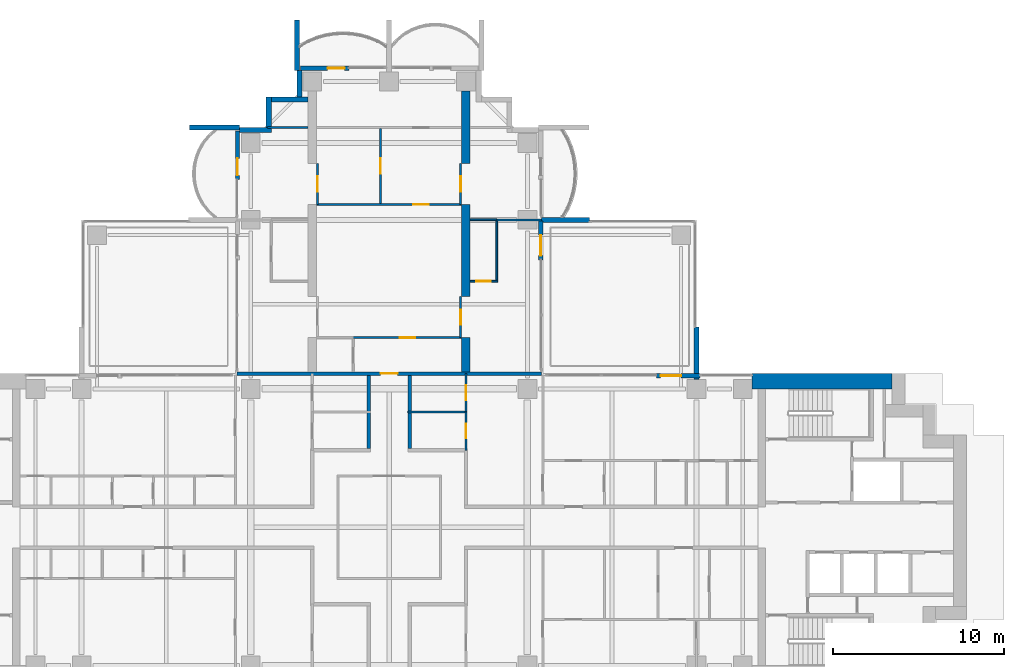
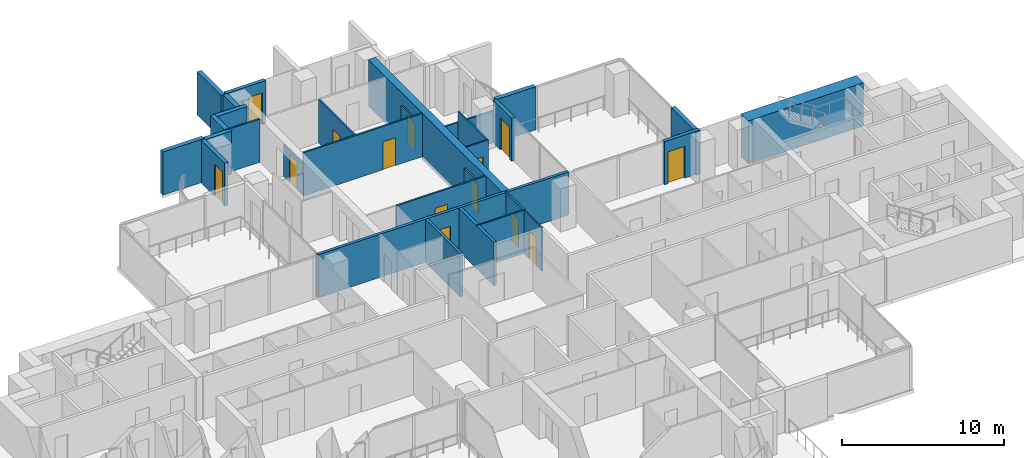
# One storey, part 15 of 20: 31 walls, 14 doors, 14 openings.
"""IFC4 building model written with IfcOpenShell, lengths in metres."""

from ifc_helpers import new_model, si_unit, direction, frame, frame_2d, origin, place, context, subcontext, project, spatial, polyline, rectangle, outline, extrude, material, layer, layer_set, material_profile, profile_set, type_object, element, fill, save


model = new_model("IFC4")

# Units and contexts
model_context = context("Model", 3, precision=1e-05, world=origin(), true_north=direction((0.0, 1.0)))
body_context = subcontext(model_context, "Body", "Model", "MODEL_VIEW")
ifc_project = project(units=[si_unit("LENGTHUNIT", "METRE"), si_unit("AREAUNIT", "SQUARE_METRE"), si_unit("VOLUMEUNIT", "CUBIC_METRE"), si_unit("PLANEANGLEUNIT", "RADIAN"), si_unit("MASSUNIT", "GRAM", prefix="KILO")], contexts=[model_context])

# Site, building, storey
site_placement = place(None, origin())
site = spatial("IfcSite", under=ifc_project, at=site_placement, CompositionType="ELEMENT")
building_placement = place(site_placement, origin())
building = spatial("IfcBuilding", under=site, at=building_placement, Name="Perihelion Cross Residences", CompositionType="ELEMENT")
storey_placement = place(building_placement, frame((0.0, 0.0, 102.39990234375)))
storey = spatial("IfcBuildingStorey", under=building, at=storey_placement, Name="L23", CompositionType="ELEMENT", Elevation=102.39990234375)

# Walls
ifc_material_1 = material(Name="Plasterboard partition")
ifc_layer_1 = layer(ifc_material_1, 0.199951171875)
ifc_layer_set_1 = layer_set([ifc_layer_1], Name="Apartment separation wall 200")
wall_type_1 = type_object("IfcWallType", Name="Apartment separation wall 200", PredefinedType="PARTITIONING", material=ifc_layer_set_1)
for number, where, z_axis, x_axis, name in (
    (1, (1.199951171875, 8.89990234375, 0.0), (0.0, 0.0, 1.0), (0.0, -1.0, 0.0), "Partition L23 W007"),
    (2, (-1.199951171875, 4.60009765625, 0.0), (0.0, 0.0, 1.0), (0.0, 1.0, 0.0), "Partition L23 W016"),
):
    element("IfcWall", number, at=place(storey_placement, frame(where, z_axis=z_axis, x_axis=x_axis)), inside=storey, type_object=wall_type_1, Name=name, PredefinedType="PARTITIONING", context=body_context, shape_type="SweptSolid", body=[
        extrude(rectangle(XDim=4.2998046875, YDim=0.199951171875, at=frame_2d((2.14990234375, 0.0))), origin(), (0.0, 0.0, 1.0), 3.25),
    ])

# Wall, opening, door
wall_1_placement = place(storey_placement, frame((-8.919921875, 9.0, 0.0), z_axis=(0.0, 0.0, 1.0), x_axis=(1.0, 0.0, 0.0)))
wall_1 = element("IfcWall", 3, at=wall_1_placement, inside=storey, type_object=wall_type_1, Name="Partition L23 W021", PredefinedType="PARTITIONING", context=body_context, shape_type="SweptSolid", body=[
    extrude(rectangle(XDim=17.83984375, YDim=0.199951171875, at=frame_2d((8.919921875, 0.0))), origin(), (0.0, 0.0, 1.0), 3.25),
])
opening_1_placement = place(wall_1_placement, frame((8.419921875, 0.0, 0.0)))
opening_1 = element("IfcOpeningElement", 4, at=opening_1_placement, cuts=wall_1, Name="Opening L23.A32", PredefinedType="OPENING", context=body_context, shape_type="SweptSolid", body=[
    extrude(rectangle(XDim=1.0, YDim=2.10009765625, at=frame_2d((0.5, 1.050048828125))), frame((0.0, 0.10986328125, 0.0), z_axis=(0.0, -1.0, 0.0), x_axis=(1.0, 0.0, 0.0)), (0.0, 0.0, 1.0), 0.219970703125),
])
ifc_material_2 = material(Name="Timber door leaf", Category="wood")
door_type_1 = type_object("IfcDoorType", Name="Flat entrance door 1000 x 2100", OperationType="SINGLE_SWING_LEFT", PredefinedType="DOOR", material=ifc_material_2)
door_1_placement = place(opening_1_placement, origin())
door_1 = element("IfcDoor", 5, at=door_1_placement, inside=storey, type_object=door_type_1, Name="Door L23.A32", OperationType="SINGLE_SWING_RIGHT", OverallHeight=2.10009765625, OverallWidth=1.0, PredefinedType="DOOR", context=body_context, shape_type="SweptSolid", body=[
    extrude(rectangle(XDim=1.0, YDim=2.10009765625, at=frame_2d((0.5, 1.050048828125))), frame((0.0, 0.02490234375, 0.0), z_axis=(0.0, -1.0, 0.0), x_axis=(1.0, 0.0, 0.0)), (0.0, 0.0, 1.0), 0.050048828125),
])
fill(opening_1, door_1)

ifc_material_3 = material(Name="Concrete C30/37, bronze-clad", Category="concrete")
ifc_layer_2 = layer(ifc_material_3, 0.25)
ifc_layer_set_2 = layer_set([ifc_layer_2], Name="Bronze-clad pier wall 250")
wall_type_2 = type_object("IfcWallType", Name="Bronze-clad pier wall 250", PredefinedType="SOLIDWALL", material=ifc_layer_set_2)
wall_2_placement = place(storey_placement, frame((18.199951171875, 8.875, 0.0), z_axis=(0.0, 0.0, 1.0), x_axis=(-1.0, 0.0, 0.0)))
wall_2 = element("IfcWall", 6, at=wall_2_placement, inside=storey, type_object=wall_type_2, Name="Wall FW1 L23 east side north bay 2 pier", PredefinedType="SOLIDWALL", context=body_context, shape_type="SweptSolid", body=[
    extrude(rectangle(XDim=2.550048828125, YDim=0.25, at=frame_2d((1.27490234375, 0.0))), origin(), (0.0, 0.0, 1.0), 3.25),
])
opening_2_placement = place(wall_2_placement, frame((1.10009765625, 0.0, 0.0)))
opening_2 = element("IfcOpeningElement", 7, at=opening_2_placement, cuts=wall_2, Name="Opening L23.E01", PredefinedType="OPENING", context=body_context, shape_type="SweptSolid", body=[
    extrude(rectangle(XDim=1.199951171875, YDim=2.39990234375, at=frame_2d((0.60009765625, 1.199951171875))), frame((0.0, 0.135009765625, 0.0), z_axis=(0.0, -1.0, 0.0), x_axis=(1.0, 0.0, 0.0)), (0.0, 0.0, 1.0), 0.27001953125),
])
ifc_material_4 = material(Name="Bronze anodised aluminium, glazed", Category="aluminium")
door_type_2 = type_object("IfcDoorType", Name="Balcony door 1200 x 2400", OperationType="NOTDEFINED", PredefinedType="DOOR", material=ifc_material_4)
door_2_placement = place(opening_2_placement, origin())
door_2 = element("IfcDoor", 8, at=door_2_placement, inside=storey, type_object=door_type_2, Name="Door L23.E01 east side north bay 2", OperationType="SINGLE_SWING_RIGHT", OverallHeight=2.39990234375, OverallWidth=1.199951171875, PredefinedType="DOOR", context=body_context, shape_type="SweptSolid", body=[
    extrude(rectangle(XDim=1.199951171875, YDim=2.39990234375, at=frame_2d((0.60009765625, 1.199951171875))), frame((0.0, 0.02490234375, 0.0), z_axis=(0.0, -1.0, 0.0), x_axis=(1.0, 0.0, 0.0)), (0.0, 0.0, 1.0), 0.050048828125),
])
fill(opening_2, door_2)

wall_3_placement = place(storey_placement, frame((8.875, 15.64990234375, 0.0), z_axis=(0.0, 0.0, 1.0), x_axis=(0.0, 1.0, 0.0)))
wall_3 = element("IfcWall", 9, at=wall_3_placement, inside=storey, type_object=wall_type_2, Name="Wall FW1 L23 north side east bay 1 pier", PredefinedType="SOLIDWALL", context=body_context, shape_type="SweptSolid", body=[
    extrude(rectangle(XDim=2.2900390625, YDim=0.25, at=frame_2d((1.14501953125, 0.0))), origin(), (0.0, 0.0, 1.0), 3.25),
])
opening_3_placement = place(wall_3_placement, frame((0.25, 0.0, 0.0)))
opening_3 = element("IfcOpeningElement", 10, at=opening_3_placement, cuts=wall_3, Name="Opening L23.E02", PredefinedType="OPENING", context=body_context, shape_type="SweptSolid", body=[
    extrude(rectangle(XDim=1.199951171875, YDim=2.39990234375, at=frame_2d((0.60009765625, 1.199951171875))), frame((0.0, 0.135009765625, 0.0), z_axis=(0.0, -1.0, 0.0), x_axis=(1.0, 0.0, 0.0)), (0.0, 0.0, 1.0), 0.27001953125),
])
door_3_placement = place(opening_3_placement, origin())
door_3 = element("IfcDoor", 11, at=door_3_placement, inside=storey, type_object=door_type_2, Name="Door L23.E02 north side east bay 1", OperationType="SINGLE_SWING_LEFT", OverallHeight=2.39990234375, OverallWidth=1.199951171875, PredefinedType="DOOR", context=body_context, shape_type="SweptSolid", body=[
    extrude(rectangle(XDim=1.199951171875, YDim=2.39990234375, at=frame_2d((0.60009765625, 1.199951171875))), frame((0.0, 0.02490234375, 0.0), z_axis=(0.0, -1.0, 0.0), x_axis=(1.0, 0.0, 0.0)), (0.0, 0.0, 1.0), 0.050048828125),
])
fill(opening_3, door_3)

wall_4_placement = place(storey_placement, frame((-2.35009765625, 26.875, 0.0), z_axis=(0.0, 0.0, 1.0), x_axis=(-1.0, 0.0, 0.0)))
wall_4 = element("IfcWall", 12, at=wall_4_placement, inside=storey, type_object=wall_type_2, Name="Wall FW1 L23 north tip north bay 2 pier", PredefinedType="SOLIDWALL", context=body_context, shape_type="SweptSolid", body=[
    extrude(rectangle(XDim=2.849853515625, YDim=0.25, at=frame_2d((1.4248046875, 0.0))), origin(), (0.0, 0.0, 1.0), 3.25),
])
opening_4_placement = place(wall_4_placement, frame((0.25, 0.0, 0.0)))
opening_4 = element("IfcOpeningElement", 13, at=opening_4_placement, cuts=wall_4, Name="Opening L23.E05", PredefinedType="OPENING", context=body_context, shape_type="SweptSolid", body=[
    extrude(rectangle(XDim=1.0, YDim=2.39990234375, at=frame_2d((0.5, 1.199951171875))), frame((0.0, 0.135009765625, 0.0), z_axis=(0.0, -1.0, 0.0), x_axis=(1.0, 0.0, 0.0)), (0.0, 0.0, 1.0), 0.27001953125),
])
ifc_material_5 = material(Name="Bronze anodised aluminium, glazed", Category="aluminium")
door_type_3 = type_object("IfcDoorType", Name="Balcony door 1000 x 2400", OperationType="NOTDEFINED", PredefinedType="DOOR", material=ifc_material_5)
door_4_placement = place(opening_4_placement, origin())
door_4 = element("IfcDoor", 14, at=door_4_placement, inside=storey, type_object=door_type_3, Name="Door L23.E05 north tip north bay 2", OperationType="SINGLE_SWING_RIGHT", OverallHeight=2.39990234375, OverallWidth=1.0, PredefinedType="DOOR", context=body_context, shape_type="SweptSolid", body=[
    extrude(rectangle(XDim=1.0, YDim=2.39990234375, at=frame_2d((0.5, 1.199951171875))), frame((0.0, 0.02490234375, 0.0), z_axis=(0.0, -1.0, 0.0), x_axis=(1.0, 0.0, 0.0)), (0.0, 0.0, 1.0), 0.050048828125),
])
fill(opening_4, door_4)

wall_5_placement = place(storey_placement, frame((-8.875, 23.199951171875, 0.0), z_axis=(0.0, 0.0, 1.0), x_axis=(0.0, -1.0, 0.0)))
wall_5 = element("IfcWall", 15, at=wall_5_placement, inside=storey, type_object=wall_type_2, Name="Wall FW1 L23 north side west bay 1 pier", PredefinedType="SOLIDWALL", context=body_context, shape_type="SweptSolid", body=[
    extrude(rectangle(XDim=2.849853515625, YDim=0.25, at=frame_2d((1.4248046875, 0.0))), origin(), (0.0, 0.0, 1.0), 3.25),
])
opening_5_placement = place(wall_5_placement, frame((1.60009765625, 0.0, 0.0)))
opening_5 = element("IfcOpeningElement", 16, at=opening_5_placement, cuts=wall_5, Name="Opening L23.E06", PredefinedType="OPENING", context=body_context, shape_type="SweptSolid", body=[
    extrude(rectangle(XDim=1.0, YDim=2.39990234375, at=frame_2d((0.5, 1.199951171875))), frame((0.0, 0.135009765625, 0.0), z_axis=(0.0, -1.0, 0.0), x_axis=(1.0, 0.0, 0.0)), (0.0, 0.0, 1.0), 0.27001953125),
])
door_5_placement = place(opening_5_placement, origin())
door_5 = element("IfcDoor", 17, at=door_5_placement, inside=storey, type_object=door_type_3, Name="Door L23.E06 north side west bay 1", OperationType="SINGLE_SWING_LEFT", OverallHeight=2.39990234375, OverallWidth=1.0, PredefinedType="DOOR", context=body_context, shape_type="SweptSolid", body=[
    extrude(rectangle(XDim=1.0, YDim=2.39990234375, at=frame_2d((0.5, 1.199951171875))), frame((0.0, 0.02490234375, 0.0), z_axis=(0.0, -1.0, 0.0), x_axis=(1.0, 0.0, 0.0)), (0.0, 0.0, 1.0), 0.050048828125),
])
fill(opening_5, door_5)

# Walls
ifc_material_6 = material(Name="Concrete C30/37, bronze-clad", Category="concrete")
ifc_layer_3 = layer(ifc_material_6, 0.300048828125)
ifc_layer_set_3 = layer_set([ifc_layer_3], Name="Bronze-clad serration wall 300")
wall_type_3 = type_object("IfcWallType", Name="Bronze-clad serration wall 300", PredefinedType="SOLIDWALL", material=ifc_layer_set_3)
wall_6_placement = place(storey_placement, frame((-5.25, 26.75, 0.0), z_axis=(0.0, 0.0, 1.0), x_axis=(0.0, -1.0, 0.0)))
element("IfcWall", 18, at=wall_6_placement, inside=storey, type_object=wall_type_3, Name="Wall SR1 L23 north corner north-west 1", PredefinedType="SOLIDWALL", context=body_context, shape_type="SweptSolid", body=[
    extrude(rectangle(XDim=1.550048828125, YDim=0.300048828125, at=frame_2d((0.77490234375, 0.0))), origin(), (0.0, 0.0, 1.0), 3.25),
])
wall_7_placement = place(storey_placement, frame((-4.75, 25.050048828125, 0.0), z_axis=(0.0, 0.0, 1.0), x_axis=(-1.0, 0.0, 0.0)))
element("IfcWall", 19, at=wall_7_placement, inside=storey, type_object=wall_type_3, Name="Wall SR1 L23 north corner north-west 2", PredefinedType="SOLIDWALL", context=body_context, shape_type="SweptSolid", body=[
    extrude(rectangle(XDim=2.14990234375, YDim=0.300048828125, at=frame_2d((1.074951171875, 0.0))), origin(), (0.0, 0.0, 1.0), 3.25),
])
wall_8_placement = place(storey_placement, frame((-7.050048828125, 25.199951171875, 0.0), z_axis=(0.0, 0.0, 1.0), x_axis=(0.0, -1.0, 0.0)))
element("IfcWall", 20, at=wall_8_placement, inside=storey, type_object=wall_type_3, Name="Wall SR1 L23 north corner north-west 3", PredefinedType="SOLIDWALL", context=body_context, shape_type="SweptSolid", body=[
    extrude(rectangle(XDim=1.800048828125, YDim=0.300048828125, at=frame_2d((0.89990234375, 0.0))), origin(), (0.0, 0.0, 1.0), 3.25),
])
wall_9_placement = place(storey_placement, frame((-6.89990234375, 23.25, 0.0), z_axis=(0.0, 0.0, 1.0), x_axis=(-1.0, 0.0, 0.0)))
element("IfcWall", 21, at=wall_9_placement, inside=storey, type_object=wall_type_3, Name="Wall SR1 L23 north corner north-west 4", PredefinedType="SOLIDWALL", context=body_context, shape_type="SweptSolid", body=[
    extrude(rectangle(XDim=1.85009765625, YDim=0.300048828125, at=frame_2d((0.925048828125, 0.0))), origin(), (0.0, 0.0, 1.0), 3.25),
])
ifc_material_7 = material(Name="Concrete C60/75", Category="concrete")
ifc_layer_4 = layer(ifc_material_7, 0.89990234375)
ifc_layer_set_4 = layer_set([ifc_layer_4], Name="Core wall, outer 900")
wall_type_4 = type_object("IfcWallType", Name="Core wall, outer 900", PredefinedType="SHEAR", material=ifc_layer_set_4)
wall_10_placement = place(storey_placement, frame((21.25, 8.550048828125, 0.0), z_axis=(0.0, 0.0, 1.0), x_axis=(1.0, 0.0, 0.0)))
element("IfcWall", 22, at=wall_10_placement, inside=storey, type_object=wall_type_4, Name="East core core wall, outer", PredefinedType="SHEAR", context=body_context, shape_type="SweptSolid", body=[
    extrude(rectangle(XDim=8.199951171875, YDim=0.89990234375, at=frame_2d((4.10009765625, 0.0))), origin(), (0.0, 0.0, 1.0), 3.25),
])

# Wall, opening, door
ifc_material_8 = material(Name="Plasterboard partition")
ifc_layer_5 = layer(ifc_material_8, 0.1201171875)
ifc_layer_set_5 = layer_set([ifc_layer_5], Name="Infill panel 120")
wall_type_5 = type_object("IfcWallType", Name="Infill panel 120", PredefinedType="PARTITIONING", material=ifc_layer_set_5)
wall_11_placement = place(storey_placement, frame((4.18994140625, 11.10009765625, 0.0), z_axis=(0.0, 0.0, 1.0), x_axis=(0.0, 1.0, 0.0)))
wall_11 = element("IfcWall", 23, at=wall_11_placement, inside=storey, type_object=wall_type_5, Name="Partition L23 WI01", PredefinedType="PARTITIONING", context=body_context, shape_type="SweptSolid", body=[
    extrude(rectangle(XDim=2.39990234375, YDim=0.1201171875, at=frame_2d((1.199951171875, 0.0))), origin(), (0.0, 0.0, 1.0), 2.400146484375),
])
opening_6_placement = place(wall_11_placement, frame((0.75, 0.0, 0.0)))
opening_6 = element("IfcOpeningElement", 24, at=opening_6_placement, cuts=wall_11, Name="Opening L23.A50", PredefinedType="OPENING", context=body_context, shape_type="SweptSolid", body=[
    extrude(rectangle(XDim=0.89990234375, YDim=2.10009765625, at=frame_2d((0.449951171875, 1.050048828125))), frame((0.0, 0.070068359375, 0.0), z_axis=(0.0, -1.0, 0.0), x_axis=(1.0, 0.0, 0.0)), (0.0, 0.0, 1.0), 0.14013671875),
])
ifc_material_9 = material(Name="Timber door leaf", Category="wood")
door_type_4 = type_object("IfcDoorType", Name="Interior room door 900 x 2100", OperationType="SINGLE_SWING_LEFT", PredefinedType="DOOR", material=ifc_material_9)
door_6_placement = place(opening_6_placement, origin())
door_6 = element("IfcDoor", 25, at=door_6_placement, inside=storey, type_object=door_type_4, Name="Door L23.A50", OperationType="SINGLE_SWING_RIGHT", OverallHeight=2.10009765625, OverallWidth=0.89990234375, PredefinedType="DOOR", context=body_context, shape_type="SweptSolid", body=[
    extrude(rectangle(XDim=0.89990234375, YDim=2.10009765625, at=frame_2d((0.449951171875, 1.050048828125))), frame((0.0, 0.02490234375, 0.0), z_axis=(0.0, -1.0, 0.0), x_axis=(1.0, 0.0, 0.0)), (0.0, 0.0, 1.0), 0.050048828125),
])
fill(opening_6, door_6)

wall_12_placement = place(storey_placement, frame((4.18994140625, 18.89990234375, 0.0), z_axis=(0.0, 0.0, 1.0), x_axis=(0.0, 1.0, 0.0)))
wall_12 = element("IfcWall", 26, at=wall_12_placement, inside=storey, type_object=wall_type_5, Name="Partition L23 WI02", PredefinedType="PARTITIONING", context=body_context, shape_type="SweptSolid", body=[
    extrude(rectangle(XDim=2.400146484375, YDim=0.1201171875, at=frame_2d((1.2001953125, 0.0))), origin(), (0.0, 0.0, 1.0), 2.400146484375),
])
opening_7_placement = place(wall_12_placement, frame((0.75, 0.0, 0.0)))
opening_7 = element("IfcOpeningElement", 27, at=opening_7_placement, cuts=wall_12, Name="Opening L23.A51", PredefinedType="OPENING", context=body_context, shape_type="SweptSolid", body=[
    extrude(rectangle(XDim=0.89990234375, YDim=2.10009765625, at=frame_2d((0.449951171875, 1.050048828125))), frame((0.0, 0.070068359375, 0.0), z_axis=(0.0, -1.0, 0.0), x_axis=(1.0, 0.0, 0.0)), (0.0, 0.0, 1.0), 0.14013671875),
])
door_7_placement = place(opening_7_placement, origin())
door_7 = element("IfcDoor", 28, at=door_7_placement, inside=storey, type_object=door_type_4, Name="Door L23.A51", OperationType="SINGLE_SWING_LEFT", OverallHeight=2.10009765625, OverallWidth=0.89990234375, PredefinedType="DOOR", context=body_context, shape_type="SweptSolid", body=[
    extrude(rectangle(XDim=0.89990234375, YDim=2.10009765625, at=frame_2d((0.449951171875, 1.050048828125))), frame((0.0, 0.02490234375, 0.0), z_axis=(0.0, -1.0, 0.0), x_axis=(1.0, 0.0, 0.0)), (0.0, 0.0, 1.0), 0.050048828125),
])
fill(opening_7, door_7)

wall_13_placement = place(storey_placement, frame((-4.18994140625, 18.89990234375, 0.0), z_axis=(0.0, 0.0, 1.0), x_axis=(0.0, 1.0, 0.0)))
wall_13 = element("IfcWall", 29, at=wall_13_placement, inside=storey, type_object=wall_type_5, Name="Partition L23 WI04", PredefinedType="PARTITIONING", context=body_context, shape_type="SweptSolid", body=[
    extrude(rectangle(XDim=2.400146484375, YDim=0.1201171875, at=frame_2d((1.2001953125, 0.0))), origin(), (0.0, 0.0, 1.0), 2.400146484375),
])
opening_8_placement = place(wall_13_placement, frame((0.75, 0.0, 0.0)))
opening_8 = element("IfcOpeningElement", 30, at=opening_8_placement, cuts=wall_13, Name="Opening L23.A53", PredefinedType="OPENING", context=body_context, shape_type="SweptSolid", body=[
    extrude(rectangle(XDim=0.89990234375, YDim=2.10009765625, at=frame_2d((0.449951171875, 1.050048828125))), frame((0.0, 0.070068359375, 0.0), z_axis=(0.0, -1.0, 0.0), x_axis=(1.0, 0.0, 0.0)), (0.0, 0.0, 1.0), 0.14013671875),
])
door_8_placement = place(opening_8_placement, origin())
door_8 = element("IfcDoor", 31, at=door_8_placement, inside=storey, type_object=door_type_4, Name="Door L23.A53", OperationType="SINGLE_SWING_RIGHT", OverallHeight=2.10009765625, OverallWidth=0.89990234375, PredefinedType="DOOR", context=body_context, shape_type="SweptSolid", body=[
    extrude(rectangle(XDim=0.89990234375, YDim=2.10009765625, at=frame_2d((0.449951171875, 1.050048828125))), frame((0.0, 0.02490234375, 0.0), z_axis=(0.0, -1.0, 0.0), x_axis=(1.0, 0.0, 0.0)), (0.0, 0.0, 1.0), 0.050048828125),
])
fill(opening_8, door_8)

ifc_material_10 = material(Name="Plasterboard partition")
ifc_layer_6 = layer(ifc_material_10, 0.1201171875)
ifc_layer_set_6 = layer_set([ifc_layer_6], Name="Partition wall 120")
wall_type_6 = type_object("IfcWallType", Name="Partition wall 120", PredefinedType="PARTITIONING", material=ifc_layer_set_6)
wall_14_placement = place(storey_placement, frame((4.5, 6.75, 0.0), z_axis=(0.0, 0.0, 1.0), x_axis=(0.0, 1.0, 0.0)))
wall_14 = element("IfcWall", 32, at=wall_14_placement, inside=storey, type_object=wall_type_6, Name="Partition L23 W032", PredefinedType="PARTITIONING", context=body_context, shape_type="SweptSolid", body=[
    extrude(rectangle(XDim=2.25, YDim=0.1201171875, at=frame_2d((1.125, 0.0))), origin(), (0.0, 0.0, 1.0), 3.25),
])
opening_9_placement = place(wall_14_placement, frame((0.675048828125, 0.0, 0.0)))
opening_9 = element("IfcOpeningElement", 33, at=opening_9_placement, cuts=wall_14, Name="Opening L23.A08", PredefinedType="OPENING", context=body_context, shape_type="SweptSolid", body=[
    extrude(rectangle(XDim=0.89990234375, YDim=2.10009765625, at=frame_2d((0.449951171875, 1.050048828125))), frame((0.0, 0.070068359375, 0.0), z_axis=(0.0, -1.0, 0.0), x_axis=(1.0, 0.0, 0.0)), (0.0, 0.0, 1.0), 0.14013671875),
])
door_9_placement = place(opening_9_placement, origin())
door_9 = element("IfcDoor", 34, at=door_9_placement, inside=storey, type_object=door_type_4, Name="Door L23.A08", OperationType="SINGLE_SWING_RIGHT", OverallHeight=2.10009765625, OverallWidth=0.89990234375, PredefinedType="DOOR", context=body_context, shape_type="SweptSolid", body=[
    extrude(rectangle(XDim=0.89990234375, YDim=2.10009765625, at=frame_2d((0.449951171875, 1.050048828125))), frame((0.0, 0.02490234375, 0.0), z_axis=(0.0, -1.0, 0.0), x_axis=(1.0, 0.0, 0.0)), (0.0, 0.0, 1.0), 0.050048828125),
])
fill(opening_9, door_9)

wall_15_placement = place(storey_placement, frame((-2.10009765625, 11.10009765625, 0.0), z_axis=(0.0, 0.0, 1.0), x_axis=(1.0, 0.0, 0.0)))
wall_15 = element("IfcWall", 35, at=wall_15_placement, inside=storey, type_object=wall_type_6, Name="Partition L23 W063", PredefinedType="PARTITIONING", context=body_context, shape_type="SweptSolid", body=[
    extrude(rectangle(XDim=6.35009765625, YDim=0.1201171875, at=frame_2d((3.175048828125, 0.0))), origin(), (0.0, 0.0, 1.0), 3.25),
])
opening_10_placement = place(wall_15_placement, frame((2.72509765625, 0.0, 0.0)))
opening_10 = element("IfcOpeningElement", 36, at=opening_10_placement, cuts=wall_15, Name="Opening L23.A34", PredefinedType="OPENING", context=body_context, shape_type="SweptSolid", body=[
    extrude(rectangle(XDim=0.89990234375, YDim=2.10009765625, at=frame_2d((0.449951171875, 1.050048828125))), frame((0.0, 0.070068359375, 0.0), z_axis=(0.0, -1.0, 0.0), x_axis=(1.0, 0.0, 0.0)), (0.0, 0.0, 1.0), 0.14013671875),
])
door_10_placement = place(opening_10_placement, origin())
door_10 = element("IfcDoor", 37, at=door_10_placement, inside=storey, type_object=door_type_4, Name="Door L23.A34", OperationType="SINGLE_SWING_RIGHT", OverallHeight=2.10009765625, OverallWidth=0.89990234375, PredefinedType="DOOR", context=body_context, shape_type="SweptSolid", body=[
    extrude(rectangle(XDim=0.89990234375, YDim=2.10009765625, at=frame_2d((0.449951171875, 1.050048828125))), frame((0.0, 0.02490234375, 0.0), z_axis=(0.0, -1.0, 0.0), x_axis=(1.0, 0.0, 0.0)), (0.0, 0.0, 1.0), 0.050048828125),
])
fill(opening_10, door_10)

wall_16_placement = place(storey_placement, frame((-4.25, 18.89990234375, 0.0), z_axis=(0.0, 0.0, 1.0), x_axis=(1.0, 0.0, 0.0)))
wall_16 = element("IfcWall", 38, at=wall_16_placement, inside=storey, type_object=wall_type_6, Name="Partition L23 W065", PredefinedType="PARTITIONING", context=body_context, shape_type="SweptSolid", body=[
    extrude(rectangle(XDim=8.5, YDim=0.1201171875, at=frame_2d((4.25, 0.0))), origin(), (0.0, 0.0, 1.0), 3.25),
])
opening_11_placement = place(wall_16_placement, frame((5.675048828125, 0.0, 0.0)))
opening_11 = element("IfcOpeningElement", 39, at=opening_11_placement, cuts=wall_16, Name="Opening L23.A35", PredefinedType="OPENING", context=body_context, shape_type="SweptSolid", body=[
    extrude(rectangle(XDim=0.89990234375, YDim=2.10009765625, at=frame_2d((0.449951171875, 1.050048828125))), frame((0.0, 0.070068359375, 0.0), z_axis=(0.0, -1.0, 0.0), x_axis=(1.0, 0.0, 0.0)), (0.0, 0.0, 1.0), 0.14013671875),
])
door_11_placement = place(opening_11_placement, origin())
door_11 = element("IfcDoor", 40, at=door_11_placement, inside=storey, type_object=door_type_4, Name="Door L23.A35", OperationType="SINGLE_SWING_RIGHT", OverallHeight=2.10009765625, OverallWidth=0.89990234375, PredefinedType="DOOR", context=body_context, shape_type="SweptSolid", body=[
    extrude(rectangle(XDim=0.89990234375, YDim=2.10009765625, at=frame_2d((0.449951171875, 1.050048828125))), frame((0.0, 0.02490234375, 0.0), z_axis=(0.0, -1.0, 0.0), x_axis=(1.0, 0.0, 0.0)), (0.0, 0.0, 1.0), 0.050048828125),
])
fill(opening_11, door_11)

wall_17_placement = place(storey_placement, frame((-0.5, 18.9599609375, 0.0), z_axis=(0.0, 0.0, 1.0), x_axis=(0.0, 1.0, 0.0)))
wall_17 = element("IfcWall", 41, at=wall_17_placement, inside=storey, type_object=wall_type_6, Name="Partition L23 W066", PredefinedType="PARTITIONING", context=body_context, shape_type="SweptSolid", body=[
    extrude(rectangle(XDim=4.380126953125, YDim=0.1201171875, at=frame_2d((2.18994140625, 0.0))), origin(), (0.0, 0.0, 1.0), 3.25),
])
opening_12_placement = place(wall_17_placement, frame((1.739990234375, 0.0, 0.0)))
opening_12 = element("IfcOpeningElement", 42, at=opening_12_placement, cuts=wall_17, Name="Opening L23.A36", PredefinedType="OPENING", context=body_context, shape_type="SweptSolid", body=[
    extrude(rectangle(XDim=0.89990234375, YDim=2.10009765625, at=frame_2d((0.449951171875, 1.050048828125))), frame((0.0, 0.070068359375, 0.0), z_axis=(0.0, -1.0, 0.0), x_axis=(1.0, 0.0, 0.0)), (0.0, 0.0, 1.0), 0.14013671875),
])
door_12_placement = place(opening_12_placement, origin())
door_12 = element("IfcDoor", 43, at=door_12_placement, inside=storey, type_object=door_type_4, Name="Door L23.A36", OperationType="SINGLE_SWING_RIGHT", OverallHeight=2.10009765625, OverallWidth=0.89990234375, PredefinedType="DOOR", context=body_context, shape_type="SweptSolid", body=[
    extrude(rectangle(XDim=0.89990234375, YDim=2.10009765625, at=frame_2d((0.449951171875, 1.050048828125))), frame((0.0, 0.02490234375, 0.0), z_axis=(0.0, -1.0, 0.0), x_axis=(1.0, 0.0, 0.0)), (0.0, 0.0, 1.0), 0.050048828125),
])
fill(opening_12, door_12)

# Walls
wall_18_placement = place(storey_placement, frame((6.300048828125, 18.0, 0.0), z_axis=(0.0, 0.0, 1.0), x_axis=(1.0, 0.0, 0.0)))
element("IfcWall", 44, at=wall_18_placement, inside=storey, type_object=wall_type_6, Name="Partition L23 W070", PredefinedType="PARTITIONING", context=body_context, shape_type="SweptSolid", body=[
    extrude(rectangle(XDim=2.619873046875, YDim=0.1201171875, at=frame_2d((1.31005859375, 0.0))), origin(), (0.0, 0.0, 1.0), 2.4140625),
])
wall_19_placement = place(storey_placement, frame((-7.1201171875, 23.39990234375, 0.0), z_axis=(0.0, 0.0, 1.0), x_axis=(1.0, 0.0, 0.0)))
element("IfcWall", 45, at=wall_19_placement, inside=storey, type_object=wall_type_6, Name="Partition L23 W077", PredefinedType="PARTITIONING", context=body_context, shape_type="SweptSolid", body=[
    extrude(rectangle(XDim=2.3701171875, YDim=0.1201171875, at=frame_2d((1.18505859375, 0.0))), origin(), (0.0, 0.0, 1.0), 3.25),
])
ifc_material_11 = material(Name="Precast concrete C50/60", Category="concrete")
ifc_layer_7 = layer(ifc_material_11, 0.300048828125)
ifc_layer_set_7 = layer_set([ifc_layer_7], Name="Precast concrete C50/60 blade wall 300")
wall_type_7 = type_object("IfcWallType", Name="Precast concrete C50/60 blade wall 300", PredefinedType="SOLIDWALL", material=ifc_layer_set_7)
for number, where, z_axis, x_axis, name in (
    (46, (-8.75, 23.39990234375, 0.0), (0.0, 0.0, 1.0), (-1.0, 0.0, 0.0), "Wall BL1 L23 no. 7"),
    (47, (-5.39990234375, 26.75, 0.0), (0.0, 0.0, 1.0), (0.0, 1.0, 0.0), "Wall BL1 L23 no. 4"),
):
    element("IfcWall", number, at=place(storey_placement, frame(where, z_axis=z_axis, x_axis=x_axis)), inside=storey, type_object=wall_type_7, Name=name, PredefinedType="SOLIDWALL", context=body_context, shape_type="SweptSolid", body=[
        extrude(rectangle(XDim=2.949951171875, YDim=0.300048828125, at=frame_2d((1.47509765625, 0.0))), origin(), (0.0, 0.0, 1.0), 3.25),
    ])
wall_20_placement = place(storey_placement, frame((8.919921875, 18.0, 0.0), z_axis=(0.0, 0.0, 1.0), x_axis=(1.0, 0.0, 0.0)))
element("IfcWall", 48, at=wall_20_placement, inside=storey, type_object=wall_type_7, Name="Wall BL1 L23 no. 15", PredefinedType="SOLIDWALL", context=body_context, shape_type="SweptSolid", body=[
    extrude(rectangle(XDim=2.820068359375, YDim=0.300048828125, at=frame_2d((1.41015625, 0.0))), origin(), (0.0, 0.0, 1.0), 3.25),
])
wall_21_placement = place(storey_placement, frame((18.0, 8.64990234375, 0.0), z_axis=(0.0, 0.0, 1.0), x_axis=(0.0, 1.0, 0.0)))
element("IfcWall", 49, at=wall_21_placement, inside=storey, type_object=wall_type_7, Name="Wall BL1 L23 no. 11", PredefinedType="SOLIDWALL", context=body_context, shape_type="SweptSolid", body=[
    extrude(rectangle(XDim=3.090087890625, YDim=0.300048828125, at=frame_2d((1.544921875, 0.0))), origin(), (0.0, 0.0, 1.0), 3.25),
])
ifc_material_12 = material(Name="Concrete C60/75", Category="concrete")
ifc_material_profile = material_profile(ifc_material_12, outline(polyline([(0.0, 0.0), (2.10009765625, 0.0), (2.10009765625, 2.64990234375), (4.5, 2.64990234375), (4.5, 0.0), (9.89990234375, 0.0), (9.89990234375, 2.64990234375), (12.300048828125, 2.64990234375), (12.300048828125, 0.0), (16.550048828125, 0.0), (16.550048828125, 3.5), (0.0, 3.5), (0.0, 0.0)])), Name="Tip spine wall")
ifc_profile_set = profile_set([ifc_material_profile], Name="Concrete C60/75")
wall_type_8 = type_object("IfcWallType", Name="Tip spine wall 500 with 2 door openings 16550 long 3500 high concrete C60/75", PredefinedType="SHEAR", material=ifc_profile_set)
wall_22_placement = place(storey_placement, frame((4.25, 9.0, -0.25), z_axis=(1.0, 0.0, 0.0), x_axis=(0.0, 1.0, 0.0)))
element("IfcWall", 50, at=wall_22_placement, inside=storey, type_object=wall_type_8, Name="Shear wall SW34 L23 north east", PredefinedType="SHEAR", context=body_context, shape_type="SweptSolid", body=[
    extrude(outline(polyline([(0.0, 0.0), (2.10009765625, 0.0), (2.10009765625, 2.64990234375), (4.5, 2.64990234375), (4.5, 0.0), (9.89990234375, 0.0), (9.89990234375, 2.64990234375), (12.300048828125, 2.64990234375), (12.300048828125, 0.0), (16.550048828125, 0.0), (16.550048828125, 3.5), (0.0, 3.5), (0.0, 0.0)])), origin(), (0.0, 0.0, 1.0), 0.5),
])

# Wall, opening, door
ifc_material_13 = material(Name="Plasterboard partition")
ifc_layer_8 = layer(ifc_material_13, 0.10009765625)
ifc_layer_set_8 = layer_set([ifc_layer_8], Name="Wet room wall 100")
wall_type_9 = type_object("IfcWallType", Name="Wet room wall 100", PredefinedType="PARTITIONING", material=ifc_layer_set_8)
wall_23_placement = place(storey_placement, frame((4.5, 4.5, 0.0), z_axis=(0.0, 0.0, 1.0), x_axis=(0.0, 1.0, 0.0)))
wall_23 = element("IfcWall", 51, at=wall_23_placement, inside=storey, type_object=wall_type_9, Name="Partition L23 W031", PredefinedType="PARTITIONING", context=body_context, shape_type="SweptSolid", body=[
    extrude(rectangle(XDim=2.25, YDim=0.10009765625, at=frame_2d((1.125, 0.0))), origin(), (0.0, 0.0, 1.0), 3.25),
])
opening_13_placement = place(wall_23_placement, frame((0.699951171875, 0.0, 0.0)))
opening_13 = element("IfcOpeningElement", 52, at=opening_13_placement, cuts=wall_23, Name="Opening L23.A04", PredefinedType="OPENING", context=body_context, shape_type="SweptSolid", body=[
    extrude(rectangle(XDim=0.85009765625, YDim=2.10009765625, at=frame_2d((0.425048828125, 1.050048828125))), frame((0.0, 0.06005859375, 0.0), z_axis=(0.0, -1.0, 0.0), x_axis=(1.0, 0.0, 0.0)), (0.0, 0.0, 1.0), 0.1201171875),
])
ifc_material_14 = material(Name="Timber door leaf", Category="wood")
door_type_5 = type_object("IfcDoorType", Name="Interior bathroom door 850 x 2100", OperationType="SINGLE_SWING_LEFT", PredefinedType="DOOR", material=ifc_material_14)
door_13_placement = place(opening_13_placement, origin())
door_13 = element("IfcDoor", 53, at=door_13_placement, inside=storey, type_object=door_type_5, Name="Door L23.A04", OperationType="SINGLE_SWING_RIGHT", OverallHeight=2.10009765625, OverallWidth=0.85009765625, PredefinedType="DOOR", context=body_context, shape_type="SweptSolid", body=[
    extrude(rectangle(XDim=0.85009765625, YDim=2.10009765625, at=frame_2d((0.425048828125, 1.050048828125))), frame((0.0, 0.02490234375, 0.0), z_axis=(0.0, -1.0, 0.0), x_axis=(1.0, 0.0, 0.0)), (0.0, 0.0, 1.0), 0.050048828125),
])
fill(opening_13, door_13)

# Wall
wall_24_placement = place(storey_placement, frame((1.10009765625, 6.75, 0.0), z_axis=(0.0, 0.0, 1.0), x_axis=(1.0, 0.0, 0.0)))
element("IfcWall", 54, at=wall_24_placement, inside=storey, type_object=wall_type_9, Name="Partition L23 W033", PredefinedType="PARTITIONING", context=body_context, shape_type="SweptSolid", body=[
    extrude(rectangle(XDim=3.4599609375, YDim=0.10009765625, at=frame_2d((1.72998046875, 0.0))), origin(), (0.0, 0.0, 1.0), 3.25),
])

# Wall, opening, door
wall_25_placement = place(storey_placement, frame((4.75, 14.39990234375, 0.0), z_axis=(0.0, 0.0, 1.0), x_axis=(1.0, 0.0, 0.0)))
wall_25 = element("IfcWall", 55, at=wall_25_placement, inside=storey, type_object=wall_type_9, Name="Partition L23 W068", PredefinedType="PARTITIONING", context=body_context, shape_type="SweptSolid", body=[
    extrude(rectangle(XDim=1.60009765625, YDim=0.10009765625, at=frame_2d((0.800048828125, 0.0))), origin(), (0.0, 0.0, 1.0), 3.25),
])
opening_14_placement = place(wall_25_placement, frame((0.35009765625, 0.0, 0.0)))
opening_14 = element("IfcOpeningElement", 56, at=opening_14_placement, cuts=wall_25, Name="Opening L23.A38", PredefinedType="OPENING", context=body_context, shape_type="SweptSolid", body=[
    extrude(rectangle(XDim=0.85009765625, YDim=2.10009765625, at=frame_2d((0.425048828125, 1.050048828125))), frame((0.0, 0.06005859375, 0.0), z_axis=(0.0, -1.0, 0.0), x_axis=(1.0, 0.0, 0.0)), (0.0, 0.0, 1.0), 0.1201171875),
])
door_14_placement = place(opening_14_placement, origin())
door_14 = element("IfcDoor", 57, at=door_14_placement, inside=storey, type_object=door_type_5, Name="Door L23.A38", OperationType="SINGLE_SWING_RIGHT", OverallHeight=2.10009765625, OverallWidth=0.85009765625, PredefinedType="DOOR", context=body_context, shape_type="SweptSolid", body=[
    extrude(rectangle(XDim=0.85009765625, YDim=2.10009765625, at=frame_2d((0.425048828125, 1.050048828125))), frame((0.0, 0.02490234375, 0.0), z_axis=(0.0, -1.0, 0.0), x_axis=(1.0, 0.0, 0.0)), (0.0, 0.0, 1.0), 0.050048828125),
])
fill(opening_14, door_14)

# Walls
wall_26_placement = place(storey_placement, frame((6.300048828125, 14.449951171875, 0.0), z_axis=(0.0, 0.0, 1.0), x_axis=(0.0, 1.0, 0.0)))
element("IfcWall", 58, at=wall_26_placement, inside=storey, type_object=wall_type_9, Name="Partition L23 W069", PredefinedType="PARTITIONING", context=body_context, shape_type="SweptSolid", body=[
    extrude(rectangle(XDim=3.489990234375, YDim=0.10009765625, at=frame_2d((1.7451171875, 0.0))), origin(), (0.0, 0.0, 1.0), 3.25),
])
wall_27_placement = place(storey_placement, frame((4.75, 18.0, 0.0), z_axis=(0.0, 0.0, 1.0), x_axis=(1.0, 0.0, 0.0)))
element("IfcWall", 59, at=wall_27_placement, inside=storey, type_object=wall_type_9, Name="Partition L23 W071", PredefinedType="PARTITIONING", context=body_context, shape_type="SweptSolid", body=[
    extrude(rectangle(XDim=1.550048828125, YDim=0.10009765625, at=frame_2d((0.77490234375, 0.0))), origin(), (0.0, 0.0, 1.0), 2.4140625),
])

save(model, "model.ifc")
